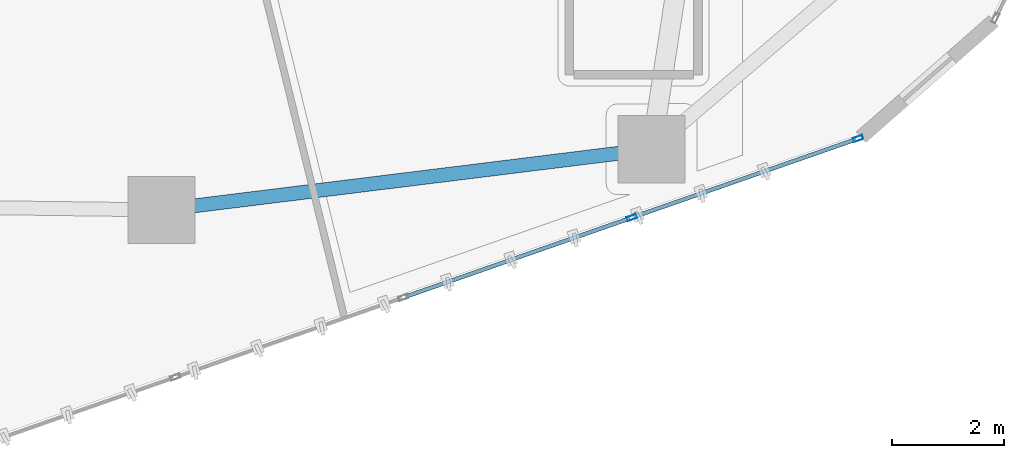
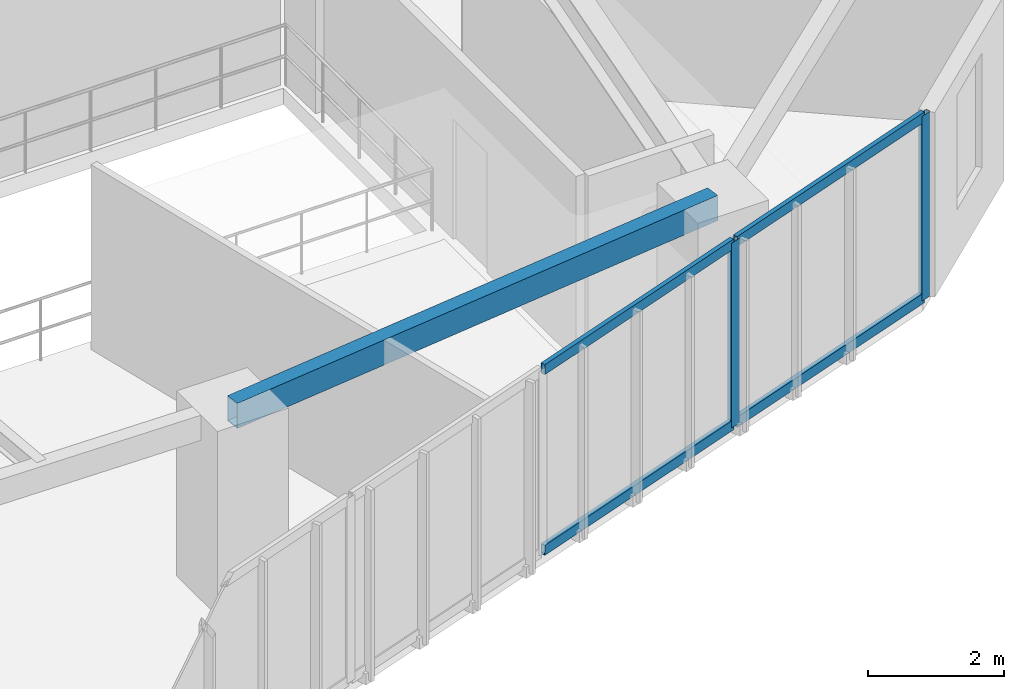
# One storey, part 5 of 21: 6 members, 1 beam, 1 element without a shape of its own.
"""IFC4 building model written with IfcOpenShell, lengths in metres."""

from ifc_helpers import new_model, si_unit, direction, frame, origin, origin_2d, place, context, subcontext, project, spatial, hollow_rectangle, extrude, source, transform, mapped, material, layer, layer_set, material_profile, profile_set, type_object, type_shapes, element, aggregate, save


model = new_model("IFC4")

# Units and contexts
model_context = context("Model", 3, precision=1e-05, world=origin(), true_north=direction((0.0, 1.0)))
body_context = subcontext(model_context, "Body", "Model", "MODEL_VIEW")
ifc_project = project(units=[si_unit("LENGTHUNIT", "METRE"), si_unit("AREAUNIT", "SQUARE_METRE"), si_unit("VOLUMEUNIT", "CUBIC_METRE"), si_unit("PLANEANGLEUNIT", "RADIAN"), si_unit("MASSUNIT", "GRAM", prefix="KILO")], contexts=[model_context])

# Site, building, storey
site_placement = place(None, origin())
site = spatial("IfcSite", under=ifc_project, at=site_placement, CompositionType="ELEMENT")
building_placement = place(site_placement, origin())
building = spatial("IfcBuilding", under=site, at=building_placement, Name="Talar Marvaseh", CompositionType="ELEMENT")
storey_placement = place(building_placement, frame((0.0, 0.0, 147.0)))
storey = spatial("IfcBuildingStorey", under=building, at=storey_placement, Name="L38", CompositionType="ELEMENT", Elevation=147.0)

# Beam
ifc_material_1 = material(Name="Steel S355", Category="steel")
ifc_material_profile_1 = material_profile(ifc_material_1, hollow_rectangle(XDim=0.25, YDim=0.449951171875, WallThickness=0.01611328125, at=origin_2d()), Name="RHS450x250x16")
ifc_profile_set_1 = profile_set([ifc_material_profile_1], Name="Steel S355")
beam_type = type_object("IfcBeamType", Name="Zone 2 Perimeter Spandrel Beam RHS450x250x16", PredefinedType="SPANDREL", material=ifc_profile_set_1)
beam_placement = place(storey_placement, frame((31.570068359375, 14.26806640625, 3.0849609375), z_axis=(-0.992426007218, -0.122843885468, 0.0), x_axis=(0.122843885468, -0.992426007218, 0.0)))
element("IfcBeam", 1, at=beam_placement, inside=storey, type_object=beam_type, Name="L38 Zone 2 Perimeter Spandrel Beam RHS450x250x16", PredefinedType="SPANDREL", context=body_context, shape_type="SweptSolid", body=[
    extrude(hollow_rectangle(XDim=0.25, YDim=0.449951171875, WallThickness=0.01611328125, at=origin_2d()), origin(), (0.0, 0.0, 1.0), 8.83203125),
])

# Curtain wall, members
ifc_material_2 = material(Name="Architectural Aluminium", Category="aluminium")
ifc_layer = layer(ifc_material_2, 0.199951171875)
ifc_layer_set = layer_set([ifc_layer], Name="Architectural Aluminium")
curtain_wall_type = type_object("IfcCurtainWallType", Name="Unitised Acoustic Library Curtain Wall Z2", PredefinedType="NOTDEFINED", material=ifc_layer_set)
curtain_wall_placement = place(storey_placement, origin())
curtain_wall = element("IfcCurtainWall", 2, at=curtain_wall_placement, inside=storey, type_object=curtain_wall_type, Name="L38 Unitised Acoustic Library Curtain Wall Z2", PredefinedType="NOTDEFINED")
ifc_material_profile_2 = material_profile(ifc_material_2, hollow_rectangle(XDim=0.074951171875, YDim=0.179931640625, WallThickness=0.0048828125, at=origin_2d()), Name="RHS180x75x5")
ifc_profile_set_2 = profile_set([ifc_material_profile_2], Name="Architectural Aluminium")
member_type_1 = type_object("IfcMemberType", Name="Unitised Curtain Wall Standard Mullion RHS180x75x5", PredefinedType="MULLION", material=ifc_profile_set_2)
shared_shape_1 = source(origin(), body_context, "Body", "SweptSolid", [
    extrude(hollow_rectangle(XDim=0.074951171875, YDim=0.179931640625, WallThickness=0.0048828125, at=origin_2d()), origin(), (0.0, 0.0, 1.0), 3.31005859375),
])
type_shapes(member_type_1, [shared_shape_1])
member_1_placement = place(storey_placement, frame((35.262451171875, 14.458740234375, 0.0), z_axis=(0.0, 0.0, 1.0), x_axis=(0.329836690552, -0.94403800642, 0.0)))
member_1 = element("IfcMember", 3, at=member_1_placement, type_object=member_type_1, Name="CW-Z2 mullion 1", PredefinedType="MULLION", context=body_context, shape_type="MappedRepresentation", body=[
    mapped(shared_shape_1, transform((0.0, 0.0, 0.0), x_axis=(1.0, 0.0, 0.0), y_axis=(0.0, 1.0, 0.0), z_axis=(0.0, 0.0, 1.0), scale=1.0)),
])
member_2_placement = place(storey_placement, frame((31.21630859375, 13.044921875, 0.0), z_axis=(0.0, 0.0, 1.0), x_axis=(0.329836690552, -0.94403800642, 0.0)))
member_2 = element("IfcMember", 4, at=member_2_placement, type_object=member_type_1, Name="CW-Z2 mullion 2", PredefinedType="MULLION", context=body_context, shape_type="MappedRepresentation", body=[
    mapped(shared_shape_1, transform((0.0, 0.0, 0.0), x_axis=(1.0, 0.0, 0.0), y_axis=(0.0, 1.0, 0.0), z_axis=(0.0, 0.0, 1.0), scale=1.0)),
])
ifc_material_profile_3 = material_profile(ifc_material_2, hollow_rectangle(XDim=0.074951171875, YDim=0.179931640625, WallThickness=0.0048828125, at=origin_2d()), Name="RHS180x75x5")
ifc_profile_set_3 = profile_set([ifc_material_profile_3], Name="Architectural Aluminium")
member_type_2 = type_object("IfcMemberType", Name="Unitised Curtain Wall Transom RHS180x75x5", PredefinedType="USERDEFINED", material=ifc_profile_set_3)
shared_shape_2 = source(origin(), body_context, "Body", "SweptSolid", [
    extrude(hollow_rectangle(XDim=0.074951171875, YDim=0.179931640625, WallThickness=0.0048828125, at=origin_2d()), origin(), (0.0, 0.0, 1.0), 4.24853515625),
])
member_3_placement = place(storey_placement, frame((31.180908203125, 13.03271484375, 0.03759765625), z_axis=(-0.944033817416, -0.329848679813, 0.0), x_axis=(0.329848679813, -0.944033817416, 0.0)))
member_3 = element("IfcMember", 5, at=member_3_placement, type_object=member_type_2, Name="CW-Z2 transom 2.1", ObjectType="TRANSOM", PredefinedType="USERDEFINED", context=body_context, shape_type="MappedRepresentation", body=[
    mapped(shared_shape_2, transform((0.0, 0.0, 0.0), x_axis=(1.0, 0.0, 0.0), y_axis=(0.0, 1.0, 0.0), z_axis=(0.0, 0.0, 1.0), scale=1.0)),
])
member_4_placement = place(storey_placement, frame((31.180908203125, 13.03271484375, 3.2724609375), z_axis=(-0.944033817416, -0.329848679813, 0.0), x_axis=(0.329848679813, -0.944033817416, 0.0)))
member_4 = element("IfcMember", 6, at=member_4_placement, type_object=member_type_2, Name="CW-Z2 transom 2.2", ObjectType="TRANSOM", PredefinedType="USERDEFINED", context=body_context, shape_type="MappedRepresentation", body=[
    mapped(shared_shape_2, transform((0.0, 0.0, 0.0), x_axis=(1.0, 0.0, 0.0), y_axis=(0.0, 1.0, 0.0), z_axis=(0.0, 0.0, 1.0), scale=1.0)),
])
shared_shape_3 = source(origin(), body_context, "Body", "SweptSolid", [
    extrude(hollow_rectangle(XDim=0.074951171875, YDim=0.179931640625, WallThickness=0.0048828125, at=origin_2d()), origin(), (0.0, 0.0, 1.0), 4.2109375),
])
type_shapes(member_type_2, [shared_shape_2, shared_shape_3])
member_5_placement = place(storey_placement, frame((35.22705078125, 14.4462890625, 0.03759765625), z_axis=(-0.94403989219, -0.329831293169, 0.0), x_axis=(0.329831293169, -0.94403989219, 0.0)))
member_5 = element("IfcMember", 7, at=member_5_placement, type_object=member_type_2, Name="CW-Z2 transom 1.1", ObjectType="TRANSOM", PredefinedType="USERDEFINED", context=body_context, shape_type="MappedRepresentation", body=[
    mapped(shared_shape_3, transform((0.0, 0.0, 0.0), x_axis=(1.0, 0.0, 0.0), y_axis=(0.0, 1.0, 0.0), z_axis=(0.0, 0.0, 1.0), scale=1.0)),
])
member_6_placement = place(storey_placement, frame((35.22705078125, 14.4462890625, 3.2724609375), z_axis=(-0.94403989219, -0.329831293169, 0.0), x_axis=(0.329831293169, -0.94403989219, 0.0)))
member_6 = element("IfcMember", 8, at=member_6_placement, type_object=member_type_2, Name="CW-Z2 transom 1.2", ObjectType="TRANSOM", PredefinedType="USERDEFINED", context=body_context, shape_type="MappedRepresentation", body=[
    mapped(shared_shape_3, transform((0.0, 0.0, 0.0), x_axis=(1.0, 0.0, 0.0), y_axis=(0.0, 1.0, 0.0), z_axis=(0.0, 0.0, 1.0), scale=1.0)),
])
aggregate(curtain_wall, [member_1, member_2, member_5, member_6, member_3, member_4])

save(model, "model.ifc")
